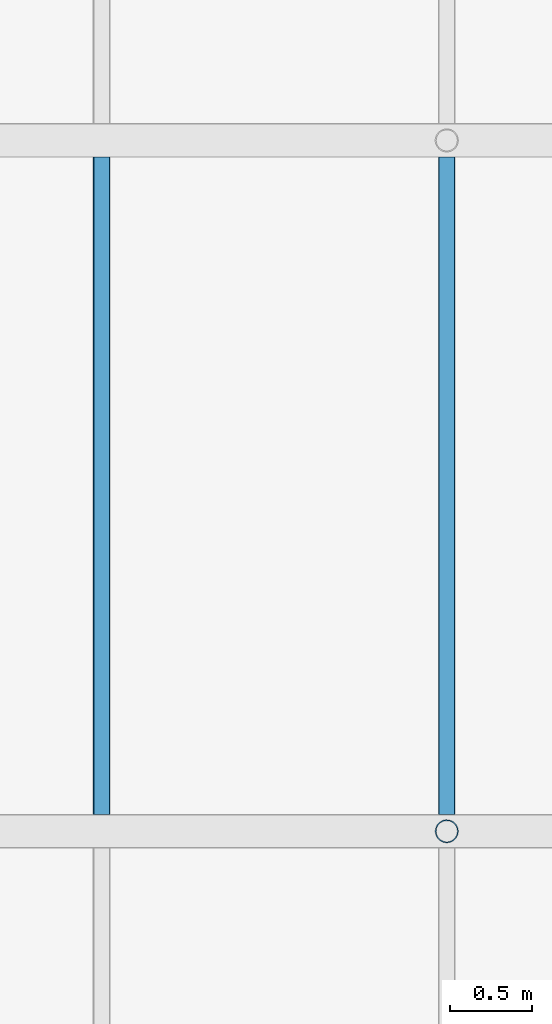
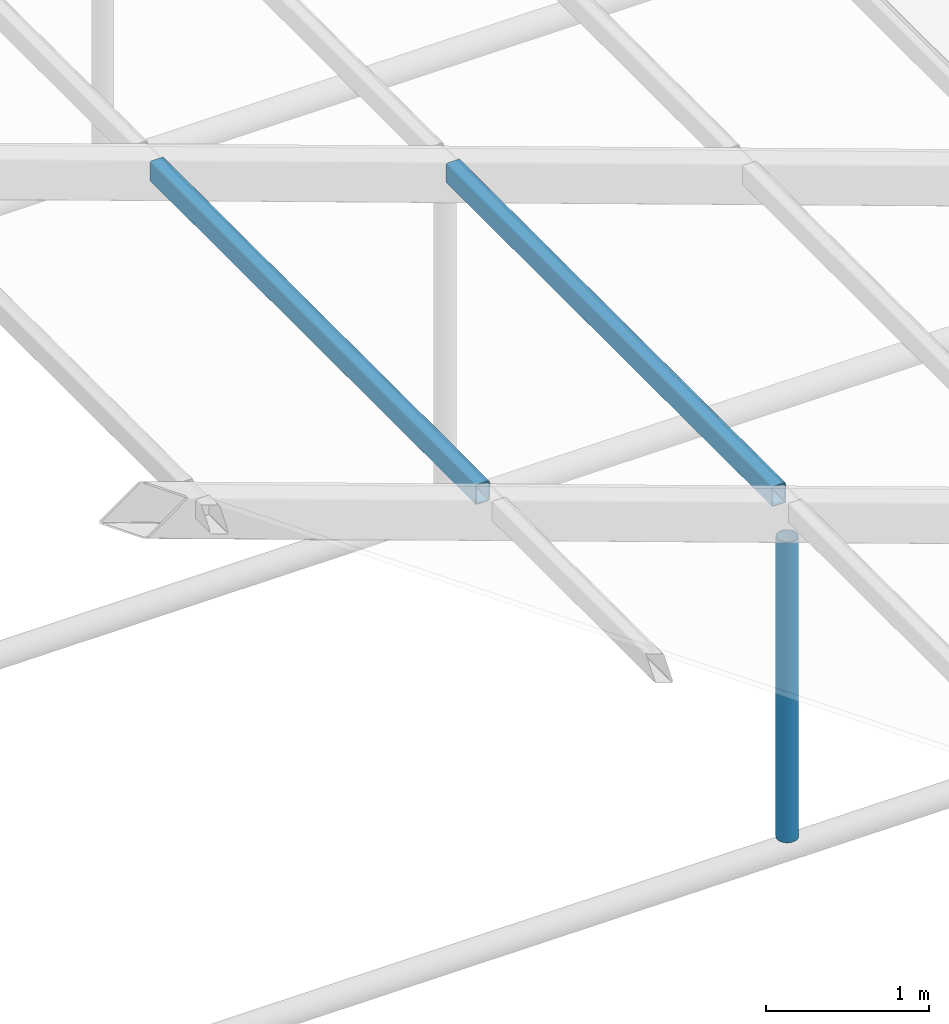
# One storey, part 67 of 116: 3 members.
"""IFC4 building model written with IfcOpenShell, lengths in metres."""

from ifc_helpers import new_model, si_unit, direction, frame, origin, origin_2d, place, context, subcontext, project, spatial, hollow_rectangle, hollow_circle, extrude, material, material_profile, profile_set, type_object, element, save


model = new_model("IFC4")

# Units and contexts
model_context = context("Model", 3, precision=1e-05, world=origin(), true_north=direction((0.0, 1.0)))
body_context = subcontext(model_context, "Body", "Model", "MODEL_VIEW")
ifc_project = project(units=[si_unit("LENGTHUNIT", "METRE"), si_unit("AREAUNIT", "SQUARE_METRE"), si_unit("VOLUMEUNIT", "CUBIC_METRE"), si_unit("PLANEANGLEUNIT", "RADIAN"), si_unit("MASSUNIT", "GRAM", prefix="KILO")], contexts=[model_context])

# Site, building, storey
site_placement = place(None, origin())
site = spatial("IfcSite", under=ifc_project, at=site_placement, CompositionType="ELEMENT")
building_placement = place(site_placement, origin())
building = spatial("IfcBuilding", under=site, at=building_placement, Name="Fescue Hill Polytechnic", CompositionType="ELEMENT")
storey_placement = place(building_placement, frame((0.0, 0.0, 13.5)))
storey = spatial("IfcBuildingStorey", under=building, at=storey_placement, Name="L03", CompositionType="ELEMENT", Elevation=13.5)

# Members
ifc_material = material(Name="Steel 350W (350 MPa)", Category="steel")
ifc_material_profile_1 = material_profile(ifc_material, hollow_rectangle(XDim=0.1015625, YDim=0.15234375, WallThickness=0.00634765625, InnerFilletRadius=0.00634765625, OuterFilletRadius=0.0126953125, at=origin_2d()), Name="Winter garden glazing purlin HSS 152x102x6.4")
ifc_profile_set_1 = profile_set([ifc_material_profile_1], Name="Steel 350W (350 MPa)")
member_type_1 = type_object("IfcMemberType", Name="Winter garden glazing purlin HSS 152x102x6.4", PredefinedType="PURLIN", material=ifc_profile_set_1)
for number, where, z_axis, x_axis, name in (
    (1, (111.30029296875, 96.70166015625, 2.914306640625), (0.0, 1.0, 0.0), (-1.0, 0.0, 0.0), "Winter garden glazing purlin E3 bay 12"),
    (2, (109.200439453125, 96.70166015625, 3.664306640625), (0.0, 1.0, 0.0), (-1.0, 0.0, 0.0), "Winter garden glazing purlin E4 bay 12"),
):
    element("IfcMember", number, at=place(storey_placement, frame(where, z_axis=z_axis, x_axis=x_axis)), inside=storey, type_object=member_type_1, Name=name, PredefinedType="PURLIN", context=body_context, shape_type="SweptSolid", body=[
        extrude(hollow_rectangle(XDim=0.1015625, YDim=0.15234375, WallThickness=0.00634765625, InnerFilletRadius=0.00634765625, OuterFilletRadius=0.0126953125, at=origin_2d()), origin(), (0.0, 0.0, 1.0), 3.996826171875),
    ])
ifc_material_profile_2 = material_profile(ifc_material, hollow_circle(Radius=0.070556640625, WallThickness=0.00634765625, at=origin_2d()), Name="Winter garden queen post CHS 141x6.4")
ifc_profile_set_2 = profile_set([ifc_material_profile_2], Name="Steel 350W (350 MPa)")
member_type_2 = type_object("IfcMemberType", Name="Winter garden queen post CHS 141x6.4", PredefinedType="POST", material=ifc_profile_set_2)
member_placement = place(storey_placement, frame((111.300048828125, 96.60009765625, 0.4169921875), z_axis=(0.0, 0.0, 1.0), x_axis=(1.0, 0.0, 0.0)))
element("IfcMember", 3, at=member_placement, inside=storey, type_object=member_type_2, Name="Winter garden queen post 12B", PredefinedType="POST", context=body_context, shape_type="SweptSolid", body=[
    extrude(hollow_circle(Radius=0.070556640625, WallThickness=0.00634765625, at=origin_2d()), origin(), (0.0, 0.0, 1.0), 2.25),
])

save(model, "model.ifc")
